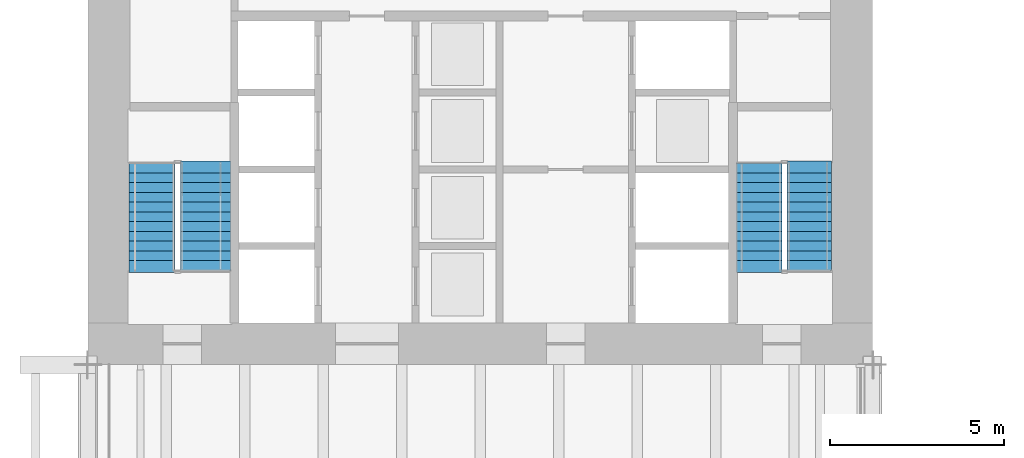
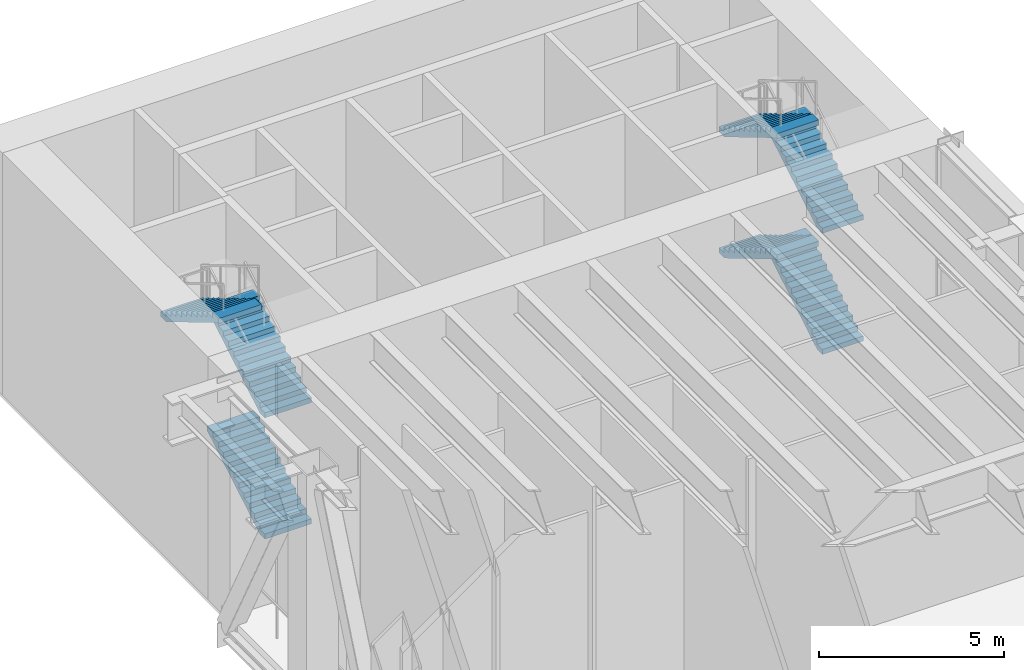
# One storey, part 15 of 21: 7 stair flights, 2 elements without a shape of their own.
"""IFC4 building model written with IfcOpenShell, lengths in metres."""

from ifc_helpers import new_model, si_unit, direction, frame, origin, place, context, subcontext, project, spatial, polyline, outline, extrude, material, type_object, element, aggregate, save


model = new_model("IFC4")

# Units and contexts
model_context = context("Model", 3, precision=1e-05, world=origin(), true_north=direction((0.0, 1.0)))
body_context = subcontext(model_context, "Body", "Model", "MODEL_VIEW")
ifc_project = project(units=[si_unit("LENGTHUNIT", "METRE"), si_unit("AREAUNIT", "SQUARE_METRE"), si_unit("VOLUMEUNIT", "CUBIC_METRE"), si_unit("PLANEANGLEUNIT", "RADIAN"), si_unit("MASSUNIT", "GRAM", prefix="KILO")], contexts=[model_context])

# Site, building, storey
site_placement = place(None, origin())
site = spatial("IfcSite", under=ifc_project, at=site_placement, CompositionType="ELEMENT")
building_placement = place(site_placement, origin())
building = spatial("IfcBuilding", under=site, at=building_placement, Name="Sennacour Bend Tower", CompositionType="ELEMENT")
storey_placement = place(building_placement, frame((0.0, 0.0, 131.0)))
storey = spatial("IfcBuildingStorey", under=building, at=storey_placement, Name="L30", CompositionType="ELEMENT", Elevation=131.0)

# Stair, stair flights
ifc_material = material(Name="Concrete C40/50", Category="concrete")
stair_type = type_object("IfcStairType", Name="ST-DOGLEG", PredefinedType="HALF_TURN_STAIR", material=ifc_material)
stair_1_placement = place(storey_placement, origin())
stair_1 = element("IfcStair", 1, at=stair_1_placement, inside=storey, type_object=stair_type, Name="L30 Exit stair B1", PredefinedType="HALF_TURN_STAIR")
stair_flight_type = type_object("IfcStairFlightType", Name="SFL-RC", PredefinedType="STRAIGHT", material=ifc_material)
stair_flight_1_placement = place(storey_placement, frame((3.37744140625, 38.699951171875, 0.0), z_axis=(0.0, 0.0, 1.0), x_axis=(0.0, 1.0, 0.0)))
stair_flight_1 = element("IfcStairFlight", 2, at=stair_flight_1_placement, type_object=stair_flight_type, Name="SB1 flight 1", NumberOfRisers=12, NumberOfTreads=11, PredefinedType="STRAIGHT", RiserHeight=0.166666667, TreadLength=0.28, context=body_context, shape_type="SweptSolid", body=[
    extrude(outline(polyline([(0.0, 0.0), (0.0, 0.166748046875), (0.280029296875, 0.166748046875), (0.280029296875, 0.333251953125), (0.56005859375, 0.333251953125), (0.56005859375, 0.5), (0.840087890625, 0.5), (0.840087890625, 0.666748046875), (1.1201171875, 0.666748046875), (1.1201171875, 0.833251953125), (1.39990234375, 0.833251953125), (1.39990234375, 1.0), (1.679931640625, 1.0), (1.679931640625, 1.166748046875), (1.9599609375, 1.166748046875), (1.9599609375, 1.333251953125), (2.239990234375, 1.333251953125), (2.239990234375, 1.5), (2.52001953125, 1.5), (2.52001953125, 1.666748046875), (2.800048828125, 1.666748046875), (2.800048828125, 1.833251953125), (3.080078125, 1.833251953125), (3.139892578125, 1.833251953125), (3.139892578125, 1.658935546875), (3.080078125, 1.658935546875), (0.29296875, 0.0), (0.0, 0.0)])), frame((0.0, 0.7275390625, 0.0), z_axis=(0.0, -1.0, 0.0), x_axis=(1.0, 0.0, 0.0)), (0.0, 0.0, 1.0), 1.455078125),
])
stair_flight_2_placement = place(storey_placement, frame((3.37744140625, 38.699951171875, 4.0), z_axis=(0.0, 0.0, 1.0), x_axis=(0.0, 1.0, 0.0)))
stair_flight_2 = element("IfcStairFlight", 3, at=stair_flight_2_placement, type_object=stair_flight_type, Name="SB1 flight 3", NumberOfRisers=12, NumberOfTreads=11, PredefinedType="STRAIGHT", RiserHeight=0.166666667, TreadLength=0.28, context=body_context, shape_type="SweptSolid", body=[
    extrude(outline(polyline([(0.0, 0.0), (0.0, 0.166748046875), (0.280029296875, 0.166748046875), (0.280029296875, 0.333251953125), (0.56005859375, 0.333251953125), (0.56005859375, 0.5), (0.840087890625, 0.5), (0.840087890625, 0.666748046875), (1.1201171875, 0.666748046875), (1.1201171875, 0.833251953125), (1.39990234375, 0.833251953125), (1.39990234375, 1.0), (1.679931640625, 1.0), (1.679931640625, 1.166748046875), (1.9599609375, 1.166748046875), (1.9599609375, 1.333251953125), (2.239990234375, 1.333251953125), (2.239990234375, 1.5), (2.52001953125, 1.5), (2.52001953125, 1.666748046875), (2.800048828125, 1.666748046875), (2.800048828125, 1.833251953125), (3.080078125, 1.833251953125), (3.139892578125, 1.833251953125), (3.139892578125, 1.658935546875), (3.080078125, 1.658935546875), (0.29296875, 0.0), (0.0, 0.0)])), frame((0.0, 0.7275390625, 0.0), z_axis=(0.0, -1.0, 0.0), x_axis=(1.0, 0.0, 0.0)), (0.0, 0.0, 1.0), 1.455078125),
])
stair_flight_3_placement = place(storey_placement, frame((1.8349609375, 41.780029296875, 6.0), z_axis=(0.0, 0.0, 1.0), x_axis=(0.0, -1.0, 0.0)))
stair_flight_3 = element("IfcStairFlight", 4, at=stair_flight_3_placement, type_object=stair_flight_type, Name="SB1 flight 4", NumberOfRisers=12, NumberOfTreads=11, PredefinedType="STRAIGHT", RiserHeight=0.166666667, TreadLength=0.28, context=body_context, shape_type="SweptSolid", body=[
    extrude(outline(polyline([(0.0, 0.0), (0.0, 0.166748046875), (0.280029296875, 0.166748046875), (0.280029296875, 0.333251953125), (0.56005859375, 0.333251953125), (0.56005859375, 0.5), (0.840087890625, 0.5), (0.840087890625, 0.666748046875), (1.1201171875, 0.666748046875), (1.1201171875, 0.833251953125), (1.39990234375, 0.833251953125), (1.39990234375, 1.0), (1.679931640625, 1.0), (1.679931640625, 1.166748046875), (1.9599609375, 1.166748046875), (1.9599609375, 1.333251953125), (2.239990234375, 1.333251953125), (2.239990234375, 1.5), (2.52001953125, 1.5), (2.52001953125, 1.666748046875), (2.800048828125, 1.666748046875), (2.800048828125, 1.833251953125), (3.080078125, 1.833251953125), (3.139892578125, 1.833251953125), (3.139892578125, 1.658935546875), (3.080078125, 1.658935546875), (0.29296875, 0.0), (0.0, 0.0)])), frame((0.0, 0.6650390625, 0.0), z_axis=(0.0, -1.0, 0.0), x_axis=(1.0, 0.0, 0.0)), (0.0, 0.0, 1.0), 1.330078125),
])
aggregate(stair_1, [stair_flight_1, stair_flight_2, stair_flight_3])

stair_2_placement = place(storey_placement, origin())
stair_2 = element("IfcStair", 5, at=stair_2_placement, inside=storey, type_object=stair_type, Name="L30 Exit stair B2", PredefinedType="HALF_TURN_STAIR")
stair_flight_4_placement = place(storey_placement, frame((20.68994140625, 38.699951171875, 0.0), z_axis=(0.0, 0.0, 1.0), x_axis=(0.0, 1.0, 0.0)))
stair_flight_4 = element("IfcStairFlight", 6, at=stair_flight_4_placement, type_object=stair_flight_type, Name="SB2 flight 1", NumberOfRisers=12, NumberOfTreads=11, PredefinedType="STRAIGHT", RiserHeight=0.166666667, TreadLength=0.28, context=body_context, shape_type="SweptSolid", body=[
    extrude(outline(polyline([(0.0, 0.0), (0.0, 0.166748046875), (0.280029296875, 0.166748046875), (0.280029296875, 0.333251953125), (0.56005859375, 0.333251953125), (0.56005859375, 0.5), (0.840087890625, 0.5), (0.840087890625, 0.666748046875), (1.1201171875, 0.666748046875), (1.1201171875, 0.833251953125), (1.39990234375, 0.833251953125), (1.39990234375, 1.0), (1.679931640625, 1.0), (1.679931640625, 1.166748046875), (1.9599609375, 1.166748046875), (1.9599609375, 1.333251953125), (2.239990234375, 1.333251953125), (2.239990234375, 1.5), (2.52001953125, 1.5), (2.52001953125, 1.666748046875), (2.800048828125, 1.666748046875), (2.800048828125, 1.833251953125), (3.080078125, 1.833251953125), (3.139892578125, 1.833251953125), (3.139892578125, 1.658935546875), (3.080078125, 1.658935546875), (0.29296875, 0.0), (0.0, 0.0)])), frame((0.0, 0.64013671875, 0.0), z_axis=(0.0, -1.0, 0.0), x_axis=(1.0, 0.0, 0.0)), (0.0, 0.0, 1.0), 1.280029296875),
])
stair_flight_5_placement = place(storey_placement, frame((19.24755859375, 41.780029296875, 2.0), z_axis=(0.0, 0.0, 1.0), x_axis=(0.0, -1.0, 0.0)))
stair_flight_5 = element("IfcStairFlight", 7, at=stair_flight_5_placement, type_object=stair_flight_type, Name="SB2 flight 2", NumberOfRisers=12, NumberOfTreads=11, PredefinedType="STRAIGHT", RiserHeight=0.166666667, TreadLength=0.28, context=body_context, shape_type="SweptSolid", body=[
    extrude(outline(polyline([(0.0, 0.0), (0.0, 0.166748046875), (0.280029296875, 0.166748046875), (0.280029296875, 0.333251953125), (0.56005859375, 0.333251953125), (0.56005859375, 0.5), (0.840087890625, 0.5), (0.840087890625, 0.666748046875), (1.1201171875, 0.666748046875), (1.1201171875, 0.833251953125), (1.39990234375, 0.833251953125), (1.39990234375, 1.0), (1.679931640625, 1.0), (1.679931640625, 1.166748046875), (1.9599609375, 1.166748046875), (1.9599609375, 1.333251953125), (2.239990234375, 1.333251953125), (2.239990234375, 1.5), (2.52001953125, 1.5), (2.52001953125, 1.666748046875), (2.800048828125, 1.666748046875), (2.800048828125, 1.833251953125), (3.080078125, 1.833251953125), (3.139892578125, 1.833251953125), (3.139892578125, 1.658935546875), (3.080078125, 1.658935546875), (0.29296875, 0.0), (0.0, 0.0)])), frame((0.0, 0.65234375, 0.0), z_axis=(0.0, -1.0, 0.0), x_axis=(1.0, 0.0, 0.0)), (0.0, 0.0, 1.0), 1.304931640625),
])
stair_flight_6_placement = place(storey_placement, frame((20.68994140625, 38.699951171875, 4.0), z_axis=(0.0, 0.0, 1.0), x_axis=(0.0, 1.0, 0.0)))
stair_flight_6 = element("IfcStairFlight", 8, at=stair_flight_6_placement, type_object=stair_flight_type, Name="SB2 flight 3", NumberOfRisers=12, NumberOfTreads=11, PredefinedType="STRAIGHT", RiserHeight=0.166666667, TreadLength=0.28, context=body_context, shape_type="SweptSolid", body=[
    extrude(outline(polyline([(0.0, 0.0), (0.0, 0.166748046875), (0.280029296875, 0.166748046875), (0.280029296875, 0.333251953125), (0.56005859375, 0.333251953125), (0.56005859375, 0.5), (0.840087890625, 0.5), (0.840087890625, 0.666748046875), (1.1201171875, 0.666748046875), (1.1201171875, 0.833251953125), (1.39990234375, 0.833251953125), (1.39990234375, 1.0), (1.679931640625, 1.0), (1.679931640625, 1.166748046875), (1.9599609375, 1.166748046875), (1.9599609375, 1.333251953125), (2.239990234375, 1.333251953125), (2.239990234375, 1.5), (2.52001953125, 1.5), (2.52001953125, 1.666748046875), (2.800048828125, 1.666748046875), (2.800048828125, 1.833251953125), (3.080078125, 1.833251953125), (3.139892578125, 1.833251953125), (3.139892578125, 1.658935546875), (3.080078125, 1.658935546875), (0.29296875, 0.0), (0.0, 0.0)])), frame((0.0, 0.64013671875, 0.0), z_axis=(0.0, -1.0, 0.0), x_axis=(1.0, 0.0, 0.0)), (0.0, 0.0, 1.0), 1.280029296875),
])
stair_flight_7_placement = place(storey_placement, frame((19.24755859375, 41.780029296875, 6.0), z_axis=(0.0, 0.0, 1.0), x_axis=(0.0, -1.0, 0.0)))
stair_flight_7 = element("IfcStairFlight", 9, at=stair_flight_7_placement, type_object=stair_flight_type, Name="SB2 flight 4", NumberOfRisers=12, NumberOfTreads=11, PredefinedType="STRAIGHT", RiserHeight=0.166666667, TreadLength=0.28, context=body_context, shape_type="SweptSolid", body=[
    extrude(outline(polyline([(0.0, 0.0), (0.0, 0.166748046875), (0.280029296875, 0.166748046875), (0.280029296875, 0.333251953125), (0.56005859375, 0.333251953125), (0.56005859375, 0.5), (0.840087890625, 0.5), (0.840087890625, 0.666748046875), (1.1201171875, 0.666748046875), (1.1201171875, 0.833251953125), (1.39990234375, 0.833251953125), (1.39990234375, 1.0), (1.679931640625, 1.0), (1.679931640625, 1.166748046875), (1.9599609375, 1.166748046875), (1.9599609375, 1.333251953125), (2.239990234375, 1.333251953125), (2.239990234375, 1.5), (2.52001953125, 1.5), (2.52001953125, 1.666748046875), (2.800048828125, 1.666748046875), (2.800048828125, 1.833251953125), (3.080078125, 1.833251953125), (3.139892578125, 1.833251953125), (3.139892578125, 1.658935546875), (3.080078125, 1.658935546875), (0.29296875, 0.0), (0.0, 0.0)])), frame((0.0, 0.65234375, 0.0), z_axis=(0.0, -1.0, 0.0), x_axis=(1.0, 0.0, 0.0)), (0.0, 0.0, 1.0), 1.304931640625),
])
aggregate(stair_2, [stair_flight_4, stair_flight_5, stair_flight_6, stair_flight_7])

save(model, "model.ifc")
